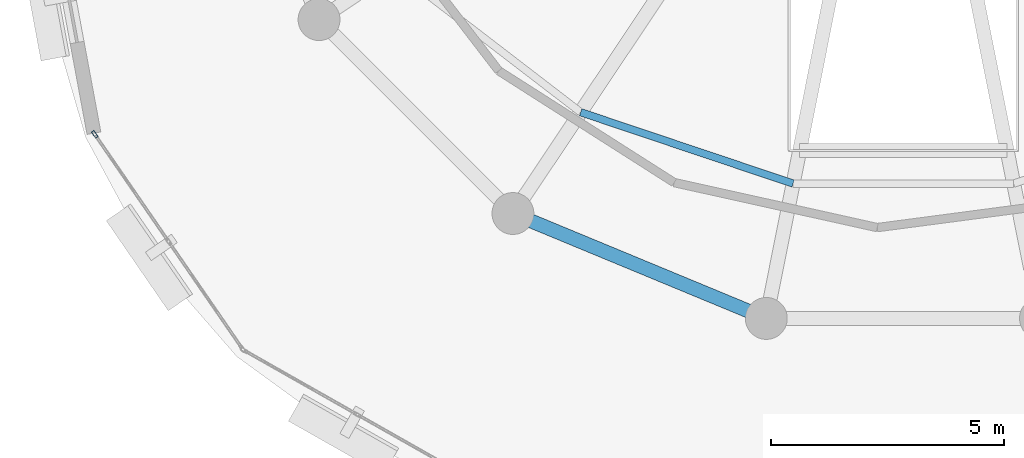
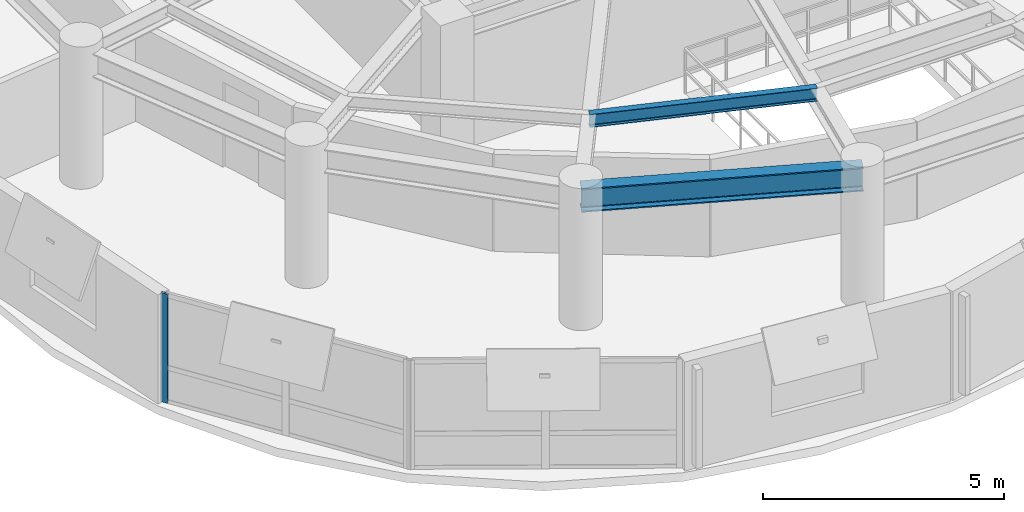
# One storey, part 3 of 12: 2 beams, 1 member, 1 element without a shape of its own.
"""IFC4 building model written with IfcOpenShell, lengths in metres."""

import ifcopenshell
import ifcopenshell.guid

model = None  # the IFC model being written
_history = None  # IfcOwnerHistory: only IFC2X3 demands one
_inside = {}  # id of a spatial element -> (the spatial element, [elements in it])
_under = {}  # id of a project, library or spatial element -> (it, [spatial elements below it])
_declared = {}  # id of a project -> (the project, [libraries it declares])
_typed = {}  # id of a type object -> (the type object, [elements of that type])
_made_of = {}  # id of a material, layer set ... -> (it, [elements and type objects made of it])


def new_model(schema):
    """Start an empty IFC model of exactly this schema.

    Asked for "IFC4X3", IfcOpenShell would pick the latest addendum, in which some entities
    have other attributes; the version numbers below select the first issue.
    IFC2X3 requires an IfcOwnerHistory on every rooted entity: one is made here for all.
    """
    global model, _history
    if schema == "IFC4X3":
        model = ifcopenshell.file(schema_version=(4, 3, 0, 0))
    else:
        model = ifcopenshell.file(schema=schema)
    _inside.clear()
    _under.clear()
    _declared.clear()
    _typed.clear()
    _made_of.clear()
    _history = None
    if model.schema == "IFC2X3":
        org = make("IfcOrganization", Name="unknown")
        user = make(
            "IfcPersonAndOrganization",
            ThePerson=make("IfcPerson", FamilyName="unknown"),
            TheOrganization=org,
        )
        app = make(
            "IfcApplication",
            ApplicationDeveloper=org,
            Version="unknown",
            ApplicationFullName="unknown",
            ApplicationIdentifier="unknown",
        )
        _history = make(
            "IfcOwnerHistory",
            OwningUser=user,
            OwningApplication=app,
            ChangeAction="ADDED",
            CreationDate=0,
        )
    return model


def make(cls, **values):
    """One entity of the class cls with the attributes given. An attribute that is None is left unset."""
    return model.create_entity(
        cls, **{name: value for name, value in values.items() if value is not None}
    )


def rooted(cls, **values):
    """An entity with a GlobalId (a new one), such as an element, a storey or a relation."""
    return make(cls, GlobalId=ifcopenshell.guid.new(), OwnerHistory=_history, **values)


def si_unit(unit_type, name, prefix=None):
    """IfcSIUnit, for example si_unit("LENGTHUNIT", "METRE", prefix="MILLI")."""
    return make("IfcSIUnit", UnitType=unit_type, Prefix=prefix, Name=name)


def assignment(units):
    """IfcUnitAssignment: the units of a project."""
    return None if units is None else make("IfcUnitAssignment", Units=units)


def point(xyz):
    """IfcCartesianPoint."""
    return None if xyz is None else make("IfcCartesianPoint", Coordinates=xyz)


def direction(xyz):
    """IfcDirection."""
    return None if xyz is None else make("IfcDirection", DirectionRatios=xyz)


def frame(location, z_axis=None, x_axis=None):
    """IfcAxis2Placement3D, a coordinate frame: its origin and axes. An axis left out is left unset."""
    return make(
        "IfcAxis2Placement3D",
        Location=point(location),
        Axis=direction(z_axis),
        RefDirection=direction(x_axis),
    )


def frame_2d(location, x_axis=None):
    """IfcAxis2Placement2D, a coordinate frame in the plane: its origin and x axis."""
    return make(
        "IfcAxis2Placement2D", Location=point(location), RefDirection=direction(x_axis)
    )


def origin():
    """The frame at (0, 0, 0) with its axes left unset."""
    return frame((0.0, 0.0, 0.0))


def origin_2d():
    """The frame at (0, 0) in the plane with its x axis left unset."""
    return frame_2d((0.0, 0.0))


def place(relative_to, where):
    """IfcLocalPlacement: puts the frame where relative to a parent placement (None: the world)."""
    return make(
        "IfcLocalPlacement", PlacementRelTo=relative_to, RelativePlacement=where
    )


def context(
    kind, dimensions, precision=None, world=None, true_north=None, identifier=None
):
    """IfcGeometricRepresentationContext, for example the 3D "Model" context."""
    return make(
        "IfcGeometricRepresentationContext",
        ContextIdentifier=identifier,
        ContextType=kind,
        CoordinateSpaceDimension=dimensions,
        Precision=precision,
        WorldCoordinateSystem=world,
        TrueNorth=true_north,
    )


def subcontext(parent, identifier, kind, view, scale=None):
    """IfcGeometricRepresentationSubContext, for example "Body" below "Model"."""
    return make(
        "IfcGeometricRepresentationSubContext",
        ContextIdentifier=identifier,
        ContextType=kind,
        ParentContext=parent,
        TargetScale=scale,
        TargetView=view,
    )


def project(units=None, contexts=None):
    """IfcProject with its units and contexts."""
    return rooted(
        "IfcProject",
        Name="project",
        RepresentationContexts=contexts,
        UnitsInContext=assignment(units),
    )


def spatial(cls, under=None, at=None, **own):
    """A site, building, storey or space (cls), placed at a placement, below another one or the project."""
    s = rooted(cls, ObjectPlacement=at, **own)
    if under is not None:
        _under.setdefault(under.id(), (under, []))[1].append(s)
    return s


def profile(cls, at=None, kind="AREA", **sizes):
    """A parametric profile (cls). Its sizes go by their IFC names, for example OverallWidth=200.0."""
    return make(cls, ProfileType=kind, Position=at, **sizes)


def hollow_rectangle(**sizes):
    """IfcRectangleHollowProfileDef."""
    return profile("IfcRectangleHollowProfileDef", **sizes)


def i_section(**sizes):
    """IfcIShapeProfileDef."""
    return profile("IfcIShapeProfileDef", **sizes)


def extrude(swept, where, along, depth):
    """IfcExtrudedAreaSolid: the profile swept, set in the frame where, extruded along a direction by depth."""
    return make(
        "IfcExtrudedAreaSolid",
        SweptArea=swept,
        Position=where,
        ExtrudedDirection=direction(along),
        Depth=depth,
    )


def shape(context_of_items, identifier, shape_type, items):
    """IfcShapeRepresentation: the items that make up one representation, for example the "Body"."""
    return make(
        "IfcShapeRepresentation",
        ContextOfItems=context_of_items,
        RepresentationIdentifier=identifier,
        RepresentationType=shape_type,
        Items=items,
    )


def material(Name=None, Category=None):
    """IfcMaterial."""
    return make("IfcMaterial", Name=Name, Category=Category)


def layer(
    of_material, thickness, ventilated=None, Name=None, Category=None, Priority=None
):
    """IfcMaterialLayer: one layer of a wall or slab, of a material (None: an air gap)."""
    return make(
        "IfcMaterialLayer",
        Material=of_material,
        LayerThickness=thickness,
        IsVentilated=ventilated,
        Name=Name,
        Category=Category,
        Priority=Priority,
    )


def layer_set(layers, Name=None):
    """IfcMaterialLayerSet."""
    return make("IfcMaterialLayerSet", MaterialLayers=layers, LayerSetName=Name)


def material_profile(
    of_material, cross_section, Name=None, Category=None, Priority=None
):
    """IfcMaterialProfile: a cross section and its material."""
    return make(
        "IfcMaterialProfile",
        Name=Name,
        Material=of_material,
        Profile=cross_section,
        Priority=Priority,
        Category=Category,
    )


def profile_set(profiles, Name=None, composite=None):
    """IfcMaterialProfileSet."""
    return make(
        "IfcMaterialProfileSet",
        Name=Name,
        MaterialProfiles=profiles,
        CompositeProfile=composite,
    )


def made_of(thing, what):
    """Note that an element or type object is made of a material, layer set ...; save() writes the relation."""
    if what is not None:
        _made_of.setdefault(what.id(), (what, []))[1].append(thing)
    return thing


def type_object(cls, material=None, **own):
    """A type object (cls), such as IfcWallType, which elements share."""
    return made_of(rooted(cls, **own), material)


def element(
    cls,
    number,
    at=None,
    inside=None,
    cuts=None,
    type_object=None,
    material=None,
    context=None,
    identifier="Body",
    shape_type=None,
    held_by="IfcProductDefinitionShape",
    body=None,
    shapes=None,
    **own,
):
    """One element of the class cls, such as IfcWall. Its Tag is "e" and its number.

    at: its placement. inside: the storey or other place that contains it. cuts: it is an
    opening in that element (IfcRelVoidsElement). A single representation is given by context,
    identifier, shape_type and body (its items); several are given by shapes. held_by: the class
    of the entity that holds the representations. save() writes the other relations.
    """
    e = rooted(cls, Tag="e%d" % number, ObjectPlacement=at, **own)
    if body is not None:
        shapes = [shape(context, identifier, shape_type, body)]
    if shapes is not None:
        e.Representation = make(held_by, Representations=shapes)
    if inside is not None:
        _inside.setdefault(inside.id(), (inside, []))[1].append(e)
    if cuts is not None:
        rooted(
            "IfcRelVoidsElement", RelatingBuildingElement=cuts, RelatedOpeningElement=e
        )
    if type_object is not None:
        _typed.setdefault(type_object.id(), (type_object, []))[1].append(e)
    return made_of(e, material)


def aggregate(whole, parts):
    """IfcRelAggregates: a whole, such as a stair, and the parts it consists of."""
    return rooted("IfcRelAggregates", RelatingObject=whole, RelatedObjects=parts)


def save(model, path):
    """Write the relations noted so far, then the file.

    IfcRelAggregates (storeys below a building ...), IfcRelContainedInSpatialStructure (elements
    in a storey), IfcRelDefinesByType, IfcRelAssociatesMaterial and IfcRelDeclares: one each for
    every whole, place, type object, material and project.
    """
    for whole, parts in _under.values():
        aggregate(whole, parts)
    for where, things in _inside.values():
        rooted(
            "IfcRelContainedInSpatialStructure",
            RelatedElements=things,
            RelatingStructure=where,
        )
    for kind, things in _typed.values():
        rooted("IfcRelDefinesByType", RelatedObjects=things, RelatingType=kind)
    for what, things in _made_of.values():
        rooted("IfcRelAssociatesMaterial", RelatedObjects=things, RelatingMaterial=what)
    for by, libraries in _declared.values():
        rooted("IfcRelDeclares", RelatingContext=by, RelatedDefinitions=libraries)
    model.write(path)


model = new_model("IFC4")

# Units and contexts
model_context = context("Model", 3, precision=1e-05, world=origin(), true_north=direction((0.0, 1.0)))
body_context = subcontext(model_context, "Body", "Model", "MODEL_VIEW")
ifc_project = project(units=[si_unit("LENGTHUNIT", "METRE"), si_unit("AREAUNIT", "SQUARE_METRE"), si_unit("VOLUMEUNIT", "CUBIC_METRE"), si_unit("PLANEANGLEUNIT", "RADIAN"), si_unit("MASSUNIT", "GRAM", prefix="KILO"), si_unit("THERMODYNAMICTEMPERATUREUNIT", "KELVIN"), si_unit("POWERUNIT", "WATT")], contexts=[model_context])

# Site, building, storey
site_placement = place(None, origin())
site = spatial("IfcSite", under=ifc_project, at=site_placement, CompositionType="ELEMENT")
building_placement = place(site_placement, origin())
building = spatial("IfcBuilding", under=site, at=building_placement, Name="Ocrelia Relay Tower", CompositionType="ELEMENT")
storey_placement = place(building_placement, frame((0.0, 0.0, 230.39990234375)))
storey = spatial("IfcBuildingStorey", under=building, at=storey_placement, Name="L56", CompositionType="ELEMENT", Elevation=230.39990234375)

# Beams
ifc_material_1 = material(Name="Steel S355", Category="steel")
ifc_material_profile_1 = material_profile(ifc_material_1, i_section(OverallWidth=0.300048828125, OverallDepth=0.60009765625, WebThickness=0.015380859375, FlangeThickness=0.030029296875, FilletRadius=0.027099609375, at=origin_2d()), Name="HEB 600")
ifc_profile_set_1 = profile_set([ifc_material_profile_1], Name="Steel S355")
beam_type_1 = type_object("IfcBeamType", Name="BM-HEB600", PredefinedType="BEAM", material=ifc_profile_set_1)
beam_1_placement = place(storey_placement, frame((25.61083984375, 13.44482421875, 3.080078125), z_axis=(0.923884009374, -0.382672624084, 0.0), x_axis=(0.382672624084, 0.923884009374, 0.0)))
element("IfcBeam", 1, at=beam_1_placement, inside=storey, type_object=beam_type_1, Name="L56 Perimeter Spandrel Beam S11", PredefinedType="BEAM", context=body_context, shape_type="SweptSolid", body=[
    extrude(i_section(OverallWidth=0.300048828125, OverallDepth=0.60009765625, WebThickness=0.015380859375, FlangeThickness=0.030029296875, FilletRadius=0.027099609375, at=origin_2d()), origin(), (0.0, 0.0, 1.0), 5.891845703125),
])
ifc_material_profile_2 = material_profile(ifc_material_1, i_section(OverallWidth=0.159912109375, OverallDepth=0.330078125, WebThickness=0.007568359375, FlangeThickness=0.011474609375, FilletRadius=0.01806640625, at=origin_2d()), Name="IPE 330")
ifc_profile_set_2 = profile_set([ifc_material_profile_2], Name="Steel S355")
beam_type_2 = type_object("IfcBeamType", Name="BM-IPE330", PredefinedType="JOIST", material=ifc_profile_set_2)
beam_2_placement = place(storey_placement, frame((27.06494140625, 15.620849609375, 3.215087890625), z_axis=(0.947976335242, -0.318340804519, 0.0), x_axis=(0.318340804519, 0.947976335242, 0.0)))
element("IfcBeam", 2, at=beam_2_placement, inside=storey, type_object=beam_type_2, Name="L56 Secondary Floor Joist J11", PredefinedType="JOIST", context=body_context, shape_type="SweptSolid", body=[
    extrude(i_section(OverallWidth=0.159912109375, OverallDepth=0.330078125, WebThickness=0.007568359375, FlangeThickness=0.011474609375, FilletRadius=0.01806640625, at=origin_2d()), origin(), (0.0, 0.0, 1.0), 4.816162109375),
])

# Curtain wall, member
ifc_material_2 = material(Name="Aluminium and solar-control low-E glass", Category="aluminium")
ifc_layer = layer(ifc_material_2, 0.179931640625, Name="Aluminium and solar-control low-E glass")
ifc_layer_set = layer_set([ifc_layer], Name="Aluminium and solar-control low-E glass")
curtain_wall_type = type_object("IfcCurtainWallType", Name="CW-SYS-Z4-EXEC", PredefinedType="NOTDEFINED", material=ifc_layer_set)
curtain_wall_placement = place(storey_placement, origin())
curtain_wall = element("IfcCurtainWall", 3, at=curtain_wall_placement, inside=storey, type_object=curtain_wall_type, Name="L56 Elliptical Tower Curtain Wall Bay 09", PredefinedType="NOTDEFINED")
ifc_material_3 = material(Name="Anodised bronze aluminium", Category="aluminium")
ifc_material_profile_3 = material_profile(ifc_material_3, hollow_rectangle(XDim=0.06494140625, YDim=0.159912109375, WallThickness=0.0048828125, at=origin_2d()), Name="CW-MUL-160x65")
ifc_profile_set_3 = profile_set([ifc_material_profile_3], Name="Anodised bronze aluminium")
member_type = type_object("IfcMemberType", Name="CW-SYS-Z4-EXEC-MUL", PredefinedType="MULLION", material=ifc_profile_set_3)
member_placement = place(storey_placement, frame((16.626708984375, 15.144287109375, 0.0), z_axis=(0.0, 0.0, 1.0), x_axis=(0.823658054438, 0.567086774101, 0.0)))
member = element("IfcMember", 4, at=member_placement, type_object=member_type, Name="CW-Z4 mullion 1", PredefinedType="MULLION", context=body_context, shape_type="SweptSolid", body=[
    extrude(hollow_rectangle(XDim=0.06494140625, YDim=0.159912109375, WallThickness=0.0048828125, at=origin_2d()), origin(), (0.0, 0.0, 1.0), 2.760009765625),
])
aggregate(curtain_wall, [member])

save(model, "model.ifc")
